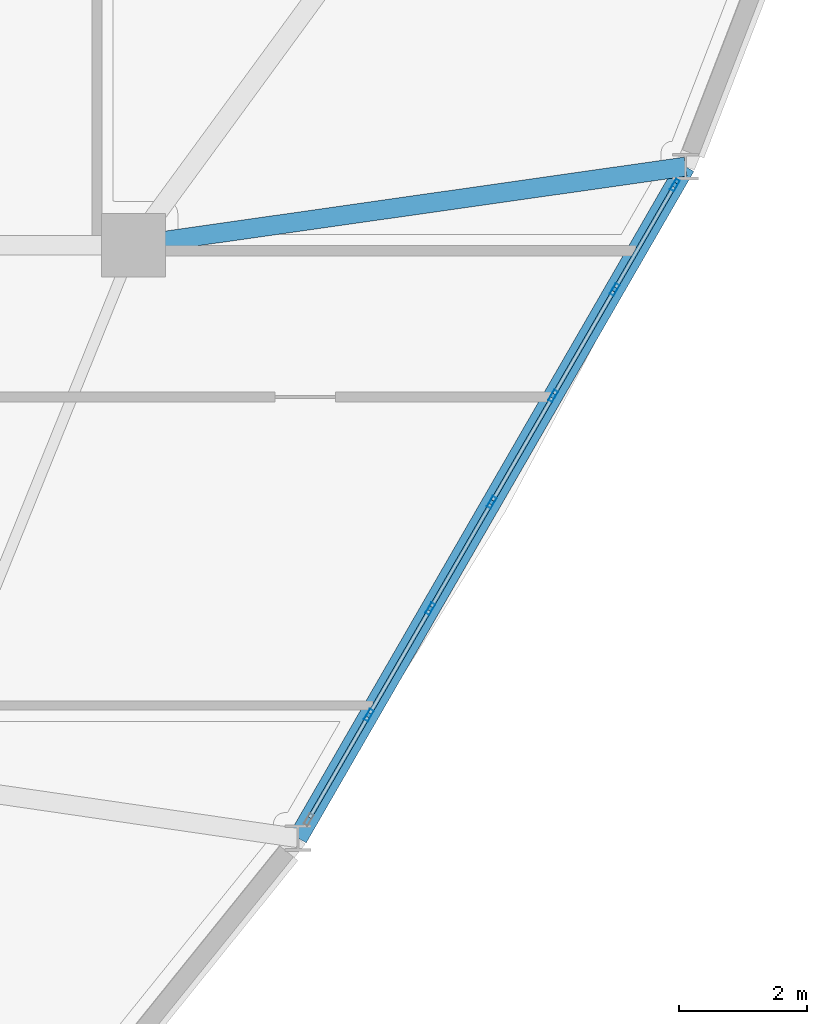
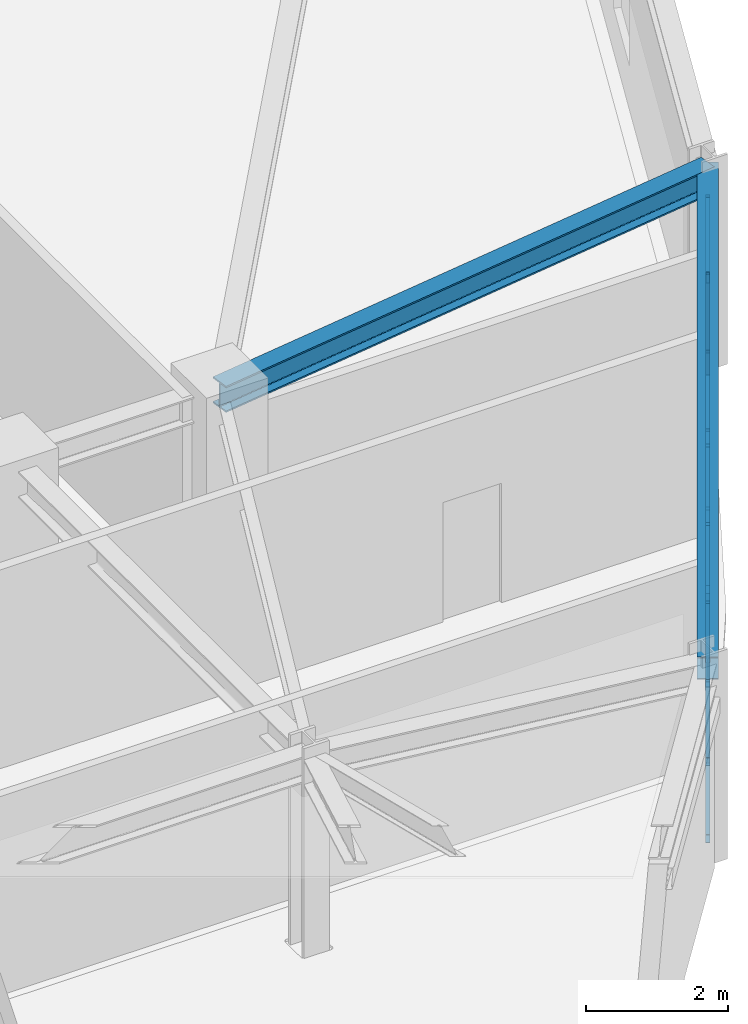
# One storey, part 7 of 16: 20 members, 2 beams, 1 element without a shape of its own.
"""IFC4 building model written with IfcOpenShell, lengths in metres."""

from ifc_helpers import new_model, si_unit, derived_unit, direction, frame, origin, origin_2d, place, context, subcontext, project, spatial, hollow_rectangle, i_section, extrude, source, transform, mapped, material, layer, layer_set, material_profile, profile_set, type_object, element, aggregate, save


model = new_model("IFC4")

# Units and contexts
model_context = context("Model", 3, precision=1e-05, world=origin(), true_north=direction((0.0, 1.0)))
body_context = subcontext(model_context, "Body", "Model", "MODEL_VIEW")
ifc_project = project(units=[si_unit("LENGTHUNIT", "METRE"), si_unit("AREAUNIT", "SQUARE_METRE"), si_unit("VOLUMEUNIT", "CUBIC_METRE"), si_unit("PLANEANGLEUNIT", "RADIAN"), si_unit("MASSUNIT", "GRAM", prefix="KILO"), derived_unit("THERMALTRANSMITTANCEUNIT", [(si_unit("POWERUNIT", "WATT"), 1), (si_unit("LENGTHUNIT", "METRE"), -2), (si_unit("THERMODYNAMICTEMPERATUREUNIT", "KELVIN"), -1)])], contexts=[model_context])

# Site, building, storey
site_placement = place(None, origin())
site = spatial("IfcSite", under=ifc_project, at=site_placement, CompositionType="ELEMENT")
building_placement = place(site_placement, origin())
building = spatial("IfcBuilding", under=site, at=building_placement, Name="Korsvarv Bourse and Concert Hall", CompositionType="ELEMENT")
storey_placement = place(building_placement, frame((0.0, 0.0, 227.39990234375)))
storey = spatial("IfcBuildingStorey", under=building, at=storey_placement, Name="L59", CompositionType="ELEMENT", Elevation=227.39990234375)

# Beams
ifc_material_1 = material(Name="Steel S355", Category="steel")
ifc_material_profile_1 = material_profile(ifc_material_1, i_section(OverallWidth=0.300048828125, OverallDepth=0.389892578125, WebThickness=0.010986328125, FlangeThickness=0.01904296875, FilletRadius=0.02099609375, at=origin_2d()), Name="HEA 400")
ifc_profile_set_1 = profile_set([ifc_material_profile_1], Name="Steel S355")
beam_type_1 = type_object("IfcBeamType", Name="BM-HEA400", PredefinedType="BEAM", material=ifc_profile_set_1)
shared_shape_1 = source(origin(), body_context, "Body", "SweptSolid", [
    extrude(i_section(OverallWidth=0.300048828125, OverallDepth=0.389892578125, WebThickness=0.010986328125, FlangeThickness=0.01904296875, FilletRadius=0.02099609375, at=origin_2d()), origin(), (0.0, 0.0, 1.0), 12.12353515625),
])
beam_1_placement = place(storey_placement, frame((50.368408203125, 23.1298828125, 3.215087890625), z_axis=(0.500000780442, 0.866024953196, 0.0), x_axis=(-0.866024953196, 0.500000780442, 0.0)))
element("IfcBeam", 1, at=beam_1_placement, inside=storey, type_object=beam_type_1, Name="L59 beam B-11", PredefinedType="BEAM", context=body_context, shape_type="MappedRepresentation", body=[
    mapped(shared_shape_1, transform((0.0, 0.0, 0.0), scale=1.0)),
])
ifc_material_profile_2 = material_profile(ifc_material_1, i_section(OverallWidth=0.300048828125, OverallDepth=0.449951171875, WebThickness=0.013916015625, FlangeThickness=0.02587890625, FilletRadius=0.02099609375, at=origin_2d()), Name="HEB 450")
ifc_profile_set_2 = profile_set([ifc_material_profile_2], Name="Steel S355")
beam_type_2 = type_object("IfcBeamType", Name="BM-HEB450", PredefinedType="SPANDREL", material=ifc_profile_set_2)
shared_shape_2 = source(origin(), body_context, "Body", "SweptSolid", [
    extrude(i_section(OverallWidth=0.300048828125, OverallDepth=0.449951171875, WebThickness=0.013916015625, FlangeThickness=0.02587890625, FilletRadius=0.02099609375, at=origin_2d()), origin(), (0.0, 0.0, 1.0), 8.71728515625),
])
beam_2_placement = place(storey_placement, frame((56.43017578125, 33.629150390625, 3.18505859375), z_axis=(-0.990007663543, -0.141013567171, 0.0), x_axis=(0.141013567171, -0.990007663543, 0.0)))
element("IfcBeam", 2, at=beam_2_placement, inside=storey, type_object=beam_type_2, Name="L59 beam B-08", PredefinedType="SPANDREL", context=body_context, shape_type="MappedRepresentation", body=[
    mapped(shared_shape_2, transform((0.0, 0.0, 0.0), scale=1.0)),
])

# Curtain wall, members
ifc_material_2 = material(Name="Anodised aluminium and triple low-E glazing", Category="glass")
ifc_layer = layer(ifc_material_2, 0.199951171875)
ifc_layer_set = layer_set([ifc_layer], Name="Anodised aluminium and triple low-E glazing")
curtain_wall_type = type_object("IfcCurtainWallType", Name="CW-SYS-3", PredefinedType="NOTDEFINED", material=ifc_layer_set)
curtain_wall_placement = place(storey_placement, origin())
curtain_wall = element("IfcCurtainWall", 3, at=curtain_wall_placement, inside=storey, type_object=curtain_wall_type, Name="L59 CW3 curtain wall CW-L59-F11", PredefinedType="NOTDEFINED")
ifc_material_3 = material(Name="Extruded aluminium EN AW-6063 T66", Category="aluminium")
ifc_material_profile_3 = material_profile(ifc_material_3, hollow_rectangle(XDim=0.070068359375, YDim=0.18994140625, WallThickness=0.0048828125, at=origin_2d()), Name="ALU-M 70x190")
ifc_profile_set_3 = profile_set([ifc_material_profile_3], Name="Extruded aluminium EN AW-6063 T66")
member_type_1 = type_object("IfcMemberType", Name="CWM-190", PredefinedType="MULLION", material=ifc_profile_set_3)
shared_shape_3 = source(origin(), body_context, "Body", "SweptSolid", [
    extrude(hollow_rectangle(XDim=0.070068359375, YDim=0.18994140625, WallThickness=0.0048828125, at=origin_2d()), origin(), (0.0, 0.0, 1.0), 3.02001953125),
])
member_1_placement = place(storey_placement, frame((51.47802734375, 25.0517578125, 0.0), z_axis=(0.0, 0.0, 1.0), x_axis=(-0.86602769294, 0.499996035044, 0.0)))
member_1 = element("IfcMember", 4, at=member_1_placement, type_object=member_type_1, Name="CW3 mullion 2", PredefinedType="MULLION", context=body_context, shape_type="MappedRepresentation", body=[
    mapped(shared_shape_3, transform((0.0, 0.0, 0.0), scale=1.0)),
])
member_2_placement = place(storey_placement, frame((52.4384765625, 26.715576171875, 0.0), z_axis=(0.0, 0.0, 1.0), x_axis=(-0.86602769294, 0.499996035044, 0.0)))
member_2 = element("IfcMember", 5, at=member_2_placement, type_object=member_type_1, Name="CW3 mullion 3", PredefinedType="MULLION", context=body_context, shape_type="MappedRepresentation", body=[
    mapped(shared_shape_3, transform((0.0, 0.0, 0.0), scale=1.0)),
])
member_3_placement = place(storey_placement, frame((53.399169921875, 28.37939453125, 0.0), z_axis=(0.0, 0.0, 1.0), x_axis=(-0.86602769294, 0.499996035044, 0.0)))
member_3 = element("IfcMember", 6, at=member_3_placement, type_object=member_type_1, Name="CW3 mullion 4", PredefinedType="MULLION", context=body_context, shape_type="MappedRepresentation", body=[
    mapped(shared_shape_3, transform((0.0, 0.0, 0.0), scale=1.0)),
])
member_4_placement = place(storey_placement, frame((54.35986328125, 30.043212890625, 0.0), z_axis=(0.0, 0.0, 1.0), x_axis=(-0.86602769294, 0.499996035044, 0.0)))
member_4 = element("IfcMember", 7, at=member_4_placement, type_object=member_type_1, Name="CW3 mullion 5", PredefinedType="MULLION", context=body_context, shape_type="MappedRepresentation", body=[
    mapped(shared_shape_3, transform((0.0, 0.0, 0.0), scale=1.0)),
])
member_5_placement = place(storey_placement, frame((55.320556640625, 31.707275390625, 0.0), z_axis=(0.0, 0.0, 1.0), x_axis=(-0.86602769294, 0.499996035044, 0.0)))
member_5 = element("IfcMember", 8, at=member_5_placement, type_object=member_type_1, Name="CW3 mullion 6", PredefinedType="MULLION", context=body_context, shape_type="MappedRepresentation", body=[
    mapped(shared_shape_3, transform((0.0, 0.0, 0.0), scale=1.0)),
])
member_6_placement = place(storey_placement, frame((56.263671875, 33.3408203125, 0.0), z_axis=(0.0, 0.0, 1.0), x_axis=(-0.86602769294, 0.499996035044, 0.0)))
member_6 = element("IfcMember", 9, at=member_6_placement, type_object=member_type_1, Name="CW3 mullion 7", PredefinedType="MULLION", context=body_context, shape_type="MappedRepresentation", body=[
    mapped(shared_shape_3, transform((0.0, 0.0, 0.0), scale=1.0)),
])
ifc_material_profile_4 = material_profile(ifc_material_3, hollow_rectangle(XDim=0.06494140625, YDim=0.139892578125, WallThickness=0.00390625, at=origin_2d()), Name="ALU-T 65x140")
ifc_profile_set_4 = profile_set([ifc_material_profile_4], Name="Extruded aluminium EN AW-6063 T66")
member_type_2 = type_object("IfcMemberType", Name="CWT-140", PredefinedType="USERDEFINED", material=ifc_profile_set_4)
shared_shape_4 = source(origin(), body_context, "Body", "SweptSolid", [
    extrude(hollow_rectangle(XDim=0.06494140625, YDim=0.139892578125, WallThickness=0.00390625, at=origin_2d()), origin(), (0.0, 0.0, 1.0), 1.81640625),
])
member_7_placement = place(storey_placement, frame((50.55224609375, 23.448486328125, 0.03271484375), z_axis=(0.500013328483, 0.866017708445, 0.0), x_axis=(-0.866017708445, 0.500013328483, 0.0)))
member_7 = element("IfcMember", 10, at=member_7_placement, type_object=member_type_2, Name="CW3 transom 1.1", ObjectType="TRANSOM", PredefinedType="USERDEFINED", context=body_context, shape_type="MappedRepresentation", body=[
    mapped(shared_shape_4, transform((0.0, 0.0, 0.0), scale=1.0)),
])
member_8_placement = place(storey_placement, frame((50.55224609375, 23.448486328125, 2.987548828125), z_axis=(0.500013328483, 0.866017708445, 0.0), x_axis=(-0.866017708445, 0.500013328483, 0.0)))
member_8 = element("IfcMember", 11, at=member_8_placement, type_object=member_type_2, Name="CW3 transom 1.2", ObjectType="TRANSOM", PredefinedType="USERDEFINED", context=body_context, shape_type="MappedRepresentation", body=[
    mapped(shared_shape_4, transform((0.0, 0.0, 0.0), scale=1.0)),
])
member_9_placement = place(storey_placement, frame((55.337890625, 31.737548828125, 0.03271484375), z_axis=(0.500013328483, 0.866017708445, 0.0), x_axis=(-0.866017708445, 0.500013328483, 0.0)))
member_9 = element("IfcMember", 12, at=member_9_placement, type_object=member_type_2, Name="CW3 transom 6.1", ObjectType="TRANSOM", PredefinedType="USERDEFINED", context=body_context, shape_type="MappedRepresentation", body=[
    mapped(shared_shape_4, transform((0.0, 0.0, 0.0), scale=1.0)),
])
member_10_placement = place(storey_placement, frame((55.337890625, 31.737548828125, 2.987548828125), z_axis=(0.500013328483, 0.866017708445, 0.0), x_axis=(-0.866017708445, 0.500013328483, 0.0)))
member_10 = element("IfcMember", 13, at=member_10_placement, type_object=member_type_2, Name="CW3 transom 6.2", ObjectType="TRANSOM", PredefinedType="USERDEFINED", context=body_context, shape_type="MappedRepresentation", body=[
    mapped(shared_shape_4, transform((0.0, 0.0, 0.0), scale=1.0)),
])
shared_shape_5 = source(origin(), body_context, "Body", "SweptSolid", [
    extrude(hollow_rectangle(XDim=0.06494140625, YDim=0.139892578125, WallThickness=0.00390625, at=origin_2d()), origin(), (0.0, 0.0, 1.0), 1.851318359375),
])
member_11_placement = place(storey_placement, frame((51.495361328125, 25.08203125, 0.03271484375), z_axis=(0.500053484023, 0.865994522568, 0.0), x_axis=(-0.865994522568, 0.500053484023, 0.0)))
member_11 = element("IfcMember", 14, at=member_11_placement, type_object=member_type_2, Name="CW3 transom 2.1", ObjectType="TRANSOM", PredefinedType="USERDEFINED", context=body_context, shape_type="MappedRepresentation", body=[
    mapped(shared_shape_5, transform((0.0, 0.0, 0.0), scale=1.0)),
])
member_12_placement = place(storey_placement, frame((51.495361328125, 25.08203125, 2.987548828125), z_axis=(0.500053484023, 0.865994522568, 0.0), x_axis=(-0.865994522568, 0.500053484023, 0.0)))
member_12 = element("IfcMember", 15, at=member_12_placement, type_object=member_type_2, Name="CW3 transom 2.2", ObjectType="TRANSOM", PredefinedType="USERDEFINED", context=body_context, shape_type="MappedRepresentation", body=[
    mapped(shared_shape_5, transform((0.0, 0.0, 0.0), scale=1.0)),
])
member_13_placement = place(storey_placement, frame((52.4560546875, 26.745849609375, 0.03271484375), z_axis=(0.49995457831, 0.866051626421, 0.0), x_axis=(-0.866051626421, 0.49995457831, 0.0)))
member_13 = element("IfcMember", 16, at=member_13_placement, type_object=member_type_2, Name="CW3 transom 3.1", ObjectType="TRANSOM", PredefinedType="USERDEFINED", context=body_context, shape_type="MappedRepresentation", body=[
    mapped(shared_shape_5, transform((0.0, 0.0, 0.0), scale=1.0)),
])
member_14_placement = place(storey_placement, frame((52.4560546875, 26.745849609375, 2.987548828125), z_axis=(0.49995457831, 0.866051626421, 0.0), x_axis=(-0.866051626421, 0.49995457831, 0.0)))
member_14 = element("IfcMember", 17, at=member_14_placement, type_object=member_type_2, Name="CW3 transom 3.2", ObjectType="TRANSOM", PredefinedType="USERDEFINED", context=body_context, shape_type="MappedRepresentation", body=[
    mapped(shared_shape_5, transform((0.0, 0.0, 0.0), scale=1.0)),
])
member_15_placement = place(storey_placement, frame((53.416748046875, 28.40966796875, 0.03271484375), z_axis=(0.49995457831, 0.866051626421, 0.0), x_axis=(-0.866051626421, 0.49995457831, 0.0)))
member_15 = element("IfcMember", 18, at=member_15_placement, type_object=member_type_2, Name="CW3 transom 4.1", ObjectType="TRANSOM", PredefinedType="USERDEFINED", context=body_context, shape_type="MappedRepresentation", body=[
    mapped(shared_shape_5, transform((0.0, 0.0, 0.0), scale=1.0)),
])
member_16_placement = place(storey_placement, frame((53.416748046875, 28.40966796875, 2.987548828125), z_axis=(0.49995457831, 0.866051626421, 0.0), x_axis=(-0.866051626421, 0.49995457831, 0.0)))
member_16 = element("IfcMember", 19, at=member_16_placement, type_object=member_type_2, Name="CW3 transom 4.2", ObjectType="TRANSOM", PredefinedType="USERDEFINED", context=body_context, shape_type="MappedRepresentation", body=[
    mapped(shared_shape_5, transform((0.0, 0.0, 0.0), scale=1.0)),
])
member_17_placement = place(storey_placement, frame((54.37744140625, 30.07373046875, 0.03271484375), z_axis=(0.49995457831, 0.866051626421, 0.0), x_axis=(-0.866051626421, 0.49995457831, 0.0)))
member_17 = element("IfcMember", 20, at=member_17_placement, type_object=member_type_2, Name="CW3 transom 5.1", ObjectType="TRANSOM", PredefinedType="USERDEFINED", context=body_context, shape_type="MappedRepresentation", body=[
    mapped(shared_shape_5, transform((0.0, 0.0, 0.0), scale=1.0)),
])
member_18_placement = place(storey_placement, frame((54.37744140625, 30.07373046875, 2.987548828125), z_axis=(0.49995457831, 0.866051626421, 0.0), x_axis=(-0.866051626421, 0.49995457831, 0.0)))
member_18 = element("IfcMember", 21, at=member_18_placement, type_object=member_type_2, Name="CW3 transom 5.2", ObjectType="TRANSOM", PredefinedType="USERDEFINED", context=body_context, shape_type="MappedRepresentation", body=[
    mapped(shared_shape_5, transform((0.0, 0.0, 0.0), scale=1.0)),
])
ifc_material_profile_5 = material_profile(ifc_material_3, hollow_rectangle(XDim=0.06494140625, YDim=0.1650390625, WallThickness=0.0048828125, at=origin_2d()), Name="ALU-M 65x165")
ifc_profile_set_5 = profile_set([ifc_material_profile_5], Name="Extruded aluminium EN AW-6063 T66")
member_type_3 = type_object("IfcMemberType", Name="CWM-165", PredefinedType="MULLION", material=ifc_profile_set_5)
shared_shape_6 = source(origin(), body_context, "Body", "SweptSolid", [
    extrude(hollow_rectangle(XDim=0.06494140625, YDim=0.1650390625, WallThickness=0.0048828125, at=origin_2d()), origin(), (0.0, 0.0, 1.0), 3.431884765625),
])
member_19_placement = place(storey_placement, frame((52.4560546875, 26.745849609375, 0.065185546875), z_axis=(0.269679177172, 0.467154617908, 0.842044953887), x_axis=(-0.866051626421, 0.49995457831, 0.0)))
member_19 = element("IfcMember", 22, at=member_19_placement, type_object=member_type_3, Name="CW3 diagonal mullion 3", PredefinedType="MULLION", context=body_context, shape_type="MappedRepresentation", body=[
    mapped(shared_shape_6, transform((0.0, 0.0, 0.0), scale=1.0)),
])
shared_shape_7 = source(origin(), body_context, "Body", "SweptSolid", [
    extrude(hollow_rectangle(XDim=0.06494140625, YDim=0.1650390625, WallThickness=0.0048828125, at=origin_2d()), origin(), (0.0, 0.0, 1.0), 3.413330078125),
])
member_20_placement = place(storey_placement, frame((56.24609375, 33.310546875, 0.065185546875), z_axis=(-0.266077527209, -0.460843416078, 0.846655830531), x_axis=(0.866017708445, -0.500013328483, 0.0)))
member_20 = element("IfcMember", 23, at=member_20_placement, type_object=member_type_3, Name="CW3 diagonal mullion 6", PredefinedType="MULLION", context=body_context, shape_type="MappedRepresentation", body=[
    mapped(shared_shape_7, transform((0.0, 0.0, 0.0), scale=1.0)),
])
aggregate(curtain_wall, [member_1, member_2, member_3, member_4, member_5, member_6, member_7, member_8, member_11, member_12, member_13, member_14, member_19, member_15, member_16, member_17, member_18, member_9, member_10, member_20])

save(model, "model.ifc")
